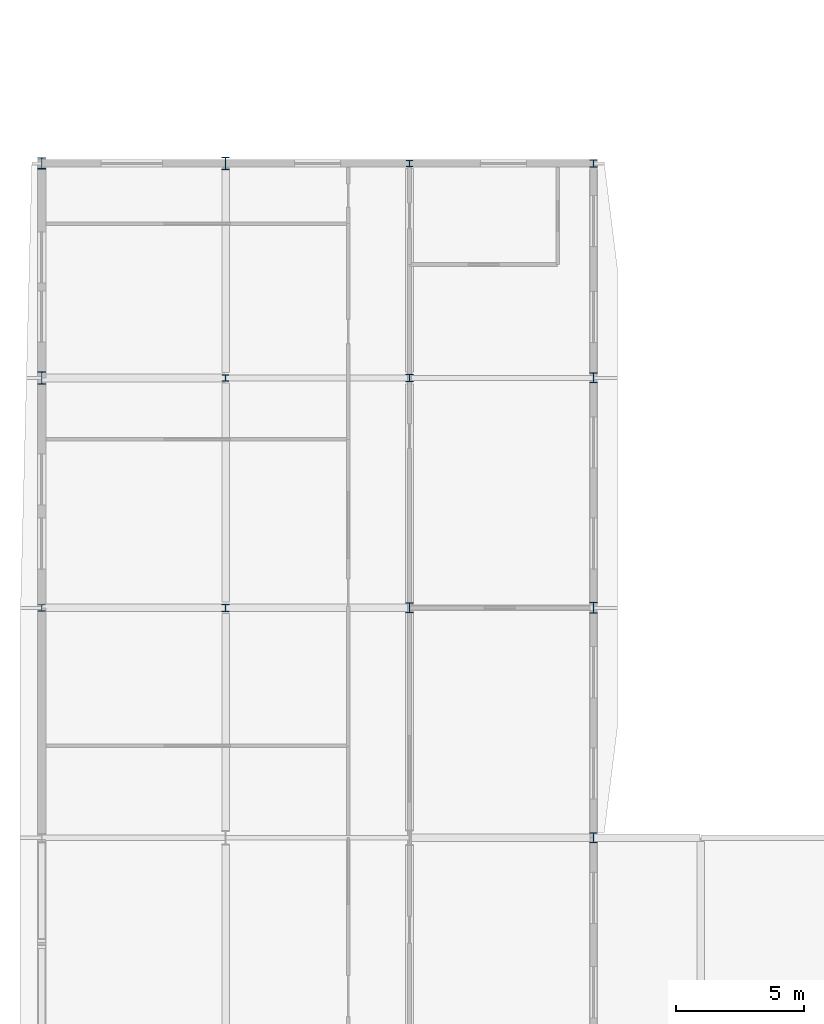
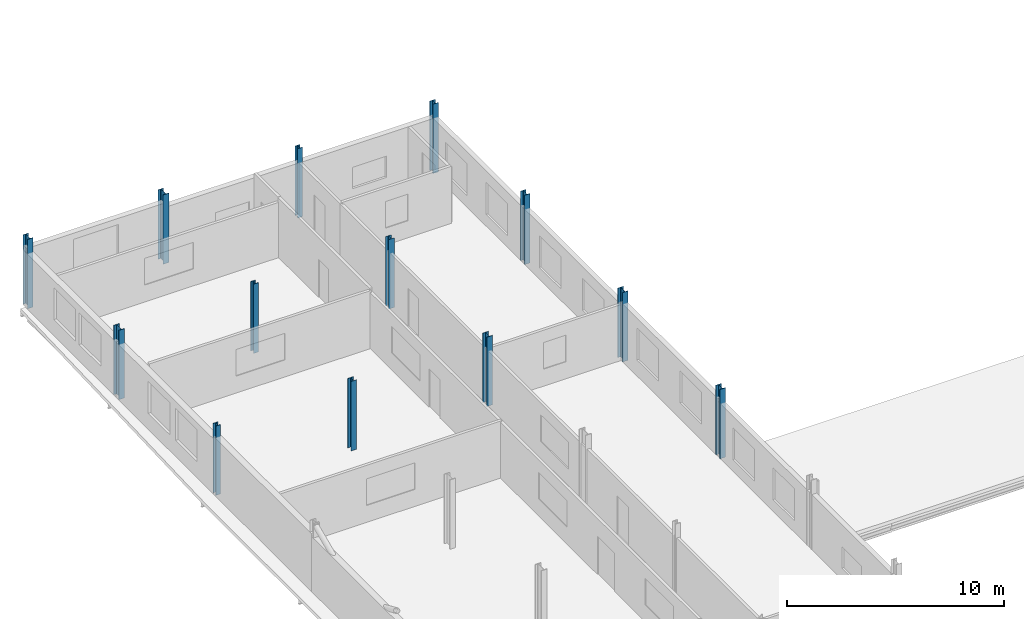
# One storey, part 14 of 78: 13 columns.
"""IFC4 building model written with IfcOpenShell, lengths in metres."""

from ifc_helpers import new_model, si_unit, direction, frame, origin, origin_2d, place, context, subcontext, project, spatial, i_section, extrude, material, material_profile, profile_set, type_object, element, save


model = new_model("IFC4")

# Units and contexts
model_context = context("Model", 3, precision=1e-05, world=origin(), true_north=direction((0.0, 1.0)))
body_context = subcontext(model_context, "Body", "Model", "MODEL_VIEW")
ifc_project = project(units=[si_unit("LENGTHUNIT", "METRE"), si_unit("AREAUNIT", "SQUARE_METRE"), si_unit("VOLUMEUNIT", "CUBIC_METRE"), si_unit("PLANEANGLEUNIT", "RADIAN"), si_unit("MASSUNIT", "GRAM", prefix="KILO")], contexts=[model_context])

# Site, building, storey
site_placement = place(None, origin())
site = spatial("IfcSite", under=ifc_project, at=site_placement, CompositionType="ELEMENT")
building_placement = place(site_placement, origin())
building = spatial("IfcBuilding", under=site, at=building_placement, Name="Vinh Khe Railworks Police Headquarters", CompositionType="ELEMENT")
storey_placement = place(building_placement, frame((0.0, 0.0, 13.199951171875)))
storey = spatial("IfcBuildingStorey", under=building, at=storey_placement, Name="L03", CompositionType="ELEMENT", Elevation=13.199951171875)

# Columns
ifc_material = material(Name="Steel S355JR", Category="steel")
ifc_material_profile_1 = material_profile(ifc_material, i_section(OverallWidth=0.300048828125, OverallDepth=0.389892578125, WebThickness=0.010986328125, FlangeThickness=0.01904296875, FilletRadius=0.027099609375, at=origin_2d()), Name="HEA 400")
ifc_profile_set_1 = profile_set([ifc_material_profile_1], Name="Steel S355JR")
column_type_1 = type_object("IfcColumnType", Name="Steel Column HEA 400", PredefinedType="COLUMN", material=ifc_profile_set_1)
for number, where, z_axis, x_axis, name in (
    (1, (15.0, 113.39990234375, 0.0), (0.0, 0.0, 1.0), (1.0, 0.0, 0.0), "Column COL-L03-SC-15-0485"),
    (2, (22.199951171875, 122.39990234375, 0.0), (0.0, 0.0, 1.0), (1.0, 0.0, 0.0), "Column COL-L03-SC-15-0645"),
):
    element("IfcColumn", number, at=place(storey_placement, frame(where, z_axis=z_axis, x_axis=x_axis)), inside=storey, type_object=column_type_1, Name=name, PredefinedType="COLUMN", context=body_context, shape_type="SweptSolid", body=[
        extrude(i_section(OverallWidth=0.300048828125, OverallDepth=0.389892578125, WebThickness=0.010986328125, FlangeThickness=0.01904296875, FilletRadius=0.027099609375, at=origin_2d()), origin(), (0.0, 0.0, 1.0), 3.900146484375),
    ])
ifc_material_profile_2 = material_profile(ifc_material, i_section(OverallWidth=0.300048828125, OverallDepth=0.43994140625, WebThickness=0.011474609375, FlangeThickness=0.02099609375, FilletRadius=0.027099609375, at=origin_2d()), Name="HEA 450")
ifc_profile_set_2 = profile_set([ifc_material_profile_2], Name="Steel S355JR")
column_type_2 = type_object("IfcColumnType", Name="Steel Column HEA 450", PredefinedType="COLUMN", material=ifc_profile_set_2)
for number, where, z_axis, x_axis, name in (
    (3, (0.60009765625, 130.800048828125, 0.0), (0.0, 0.0, 1.0), (1.0, 0.0, 0.0), "Column COL-L03-SC-14-0165"),
    (4, (22.199951171875, 113.39990234375, 0.0), (0.0, 0.0, 1.0), (1.0, 0.0, 0.0), "Column COL-L03-SC-14-0638"),
):
    element("IfcColumn", number, at=place(storey_placement, frame(where, z_axis=z_axis, x_axis=x_axis)), inside=storey, type_object=column_type_2, Name=name, PredefinedType="COLUMN", context=body_context, shape_type="SweptSolid", body=[
        extrude(i_section(OverallWidth=0.300048828125, OverallDepth=0.43994140625, WebThickness=0.011474609375, FlangeThickness=0.02099609375, FilletRadius=0.027099609375, at=origin_2d()), origin(), (0.0, 0.0, 1.0), 3.900146484375),
    ])
ifc_material_profile_3 = material_profile(ifc_material, i_section(OverallWidth=0.300048828125, OverallDepth=0.489990234375, WebThickness=0.011962890625, FlangeThickness=0.02294921875, FilletRadius=0.027099609375, at=origin_2d()), Name="HEA 500")
ifc_profile_set_3 = profile_set([ifc_material_profile_3], Name="Steel S355JR")
column_type_3 = type_object("IfcColumnType", Name="Steel Column HEA 500", PredefinedType="COLUMN", material=ifc_profile_set_3)
for number, where, z_axis, x_axis, name in (
    (5, (0.60009765625, 122.39990234375, 0.0), (0.0, 0.0, 1.0), (1.0, 0.0, 0.0), "Column COL-L03-SC-13-0158"),
    (6, (7.800048828125, 130.800048828125, 0.0), (0.0, 0.0, 1.0), (1.0, 0.0, 0.0), "Column COL-L03-SC-13-0332"),
):
    element("IfcColumn", number, at=place(storey_placement, frame(where, z_axis=z_axis, x_axis=x_axis)), inside=storey, type_object=column_type_3, Name=name, PredefinedType="COLUMN", context=body_context, shape_type="SweptSolid", body=[
        extrude(i_section(OverallWidth=0.300048828125, OverallDepth=0.489990234375, WebThickness=0.011962890625, FlangeThickness=0.02294921875, FilletRadius=0.027099609375, at=origin_2d()), origin(), (0.0, 0.0, 1.0), 3.900146484375),
    ])
ifc_material_profile_4 = material_profile(ifc_material, i_section(OverallWidth=0.260009765625, OverallDepth=0.260009765625, WebThickness=0.010009765625, FlangeThickness=0.017578125, FilletRadius=0.02392578125, at=origin_2d()), Name="HEB 260")
ifc_profile_set_4 = profile_set([ifc_material_profile_4], Name="Steel S355JR")
column_type_4 = type_object("IfcColumnType", Name="Steel Column HEB 260", PredefinedType="COLUMN", material=ifc_profile_set_4)
for number, where, z_axis, x_axis, name in (
    (7, (0.60009765625, 113.39990234375, 0.0), (0.0, 0.0, 1.0), (1.0, 0.0, 0.0), "Column COL-L03-SC-12-0151"),
    (8, (7.800048828125, 122.39990234375, 0.0), (0.0, 0.0, 1.0), (1.0, 0.0, 0.0), "Column COL-L03-SC-12-0325"),
    (9, (15.0, 130.800048828125, 0.0), (0.0, 0.0, 1.0), (1.0, 0.0, 0.0), "Column COL-L03-SC-12-0499"),
):
    element("IfcColumn", number, at=place(storey_placement, frame(where, z_axis=z_axis, x_axis=x_axis)), inside=storey, type_object=column_type_4, Name=name, PredefinedType="COLUMN", context=body_context, shape_type="SweptSolid", body=[
        extrude(i_section(OverallWidth=0.260009765625, OverallDepth=0.260009765625, WebThickness=0.010009765625, FlangeThickness=0.017578125, FilletRadius=0.02392578125, at=origin_2d()), origin(), (0.0, 0.0, 1.0), 3.900146484375),
    ])
ifc_material_profile_5 = material_profile(ifc_material, i_section(OverallWidth=0.300048828125, OverallDepth=0.300048828125, WebThickness=0.010986328125, FlangeThickness=0.01904296875, FilletRadius=0.027099609375, at=origin_2d()), Name="HEB 300")
ifc_profile_set_5 = profile_set([ifc_material_profile_5], Name="Steel S355JR")
column_type_5 = type_object("IfcColumnType", Name="Steel Column HEB 300", PredefinedType="COLUMN", material=ifc_profile_set_5)
for number, where, z_axis, x_axis, name in (
    (10, (7.800048828125, 113.39990234375, 0.0), (0.0, 0.0, 1.0), (1.0, 0.0, 0.0), "Column COL-L03-SC-11-0318"),
    (11, (15.0, 122.39990234375, 0.0), (0.0, 0.0, 1.0), (1.0, 0.0, 0.0), "Column COL-L03-SC-11-0492"),
    (12, (22.199951171875, 130.800048828125, 0.0), (0.0, 0.0, 1.0), (1.0, 0.0, 0.0), "Column COL-L03-SC-11-0652"),
):
    element("IfcColumn", number, at=place(storey_placement, frame(where, z_axis=z_axis, x_axis=x_axis)), inside=storey, type_object=column_type_5, Name=name, PredefinedType="COLUMN", context=body_context, shape_type="SweptSolid", body=[
        extrude(i_section(OverallWidth=0.300048828125, OverallDepth=0.300048828125, WebThickness=0.010986328125, FlangeThickness=0.01904296875, FilletRadius=0.027099609375, at=origin_2d()), origin(), (0.0, 0.0, 1.0), 3.900146484375),
    ])
ifc_material_profile_6 = material_profile(ifc_material, i_section(OverallWidth=0.300048828125, OverallDepth=0.39990234375, WebThickness=0.013427734375, FlangeThickness=0.02392578125, FilletRadius=0.027099609375, at=origin_2d()), Name="HEB 400")
ifc_profile_set_6 = profile_set([ifc_material_profile_6], Name="Steel S355JR")
column_type_6 = type_object("IfcColumnType", Name="Steel Column HEB 400", PredefinedType="COLUMN", material=ifc_profile_set_6)
column_placement = place(storey_placement, frame((22.199951171875, 104.39990234375, 0.0), z_axis=(0.0, 0.0, 1.0), x_axis=(1.0, 0.0, 0.0)))
element("IfcColumn", 13, at=column_placement, inside=storey, type_object=column_type_6, Name="Column COL-L03-SC-08-0629", PredefinedType="COLUMN", context=body_context, shape_type="SweptSolid", body=[
    extrude(i_section(OverallWidth=0.300048828125, OverallDepth=0.39990234375, WebThickness=0.013427734375, FlangeThickness=0.02392578125, FilletRadius=0.027099609375, at=origin_2d()), origin(), (0.0, 0.0, 1.0), 3.900146484375),
])

save(model, "model.ifc")
